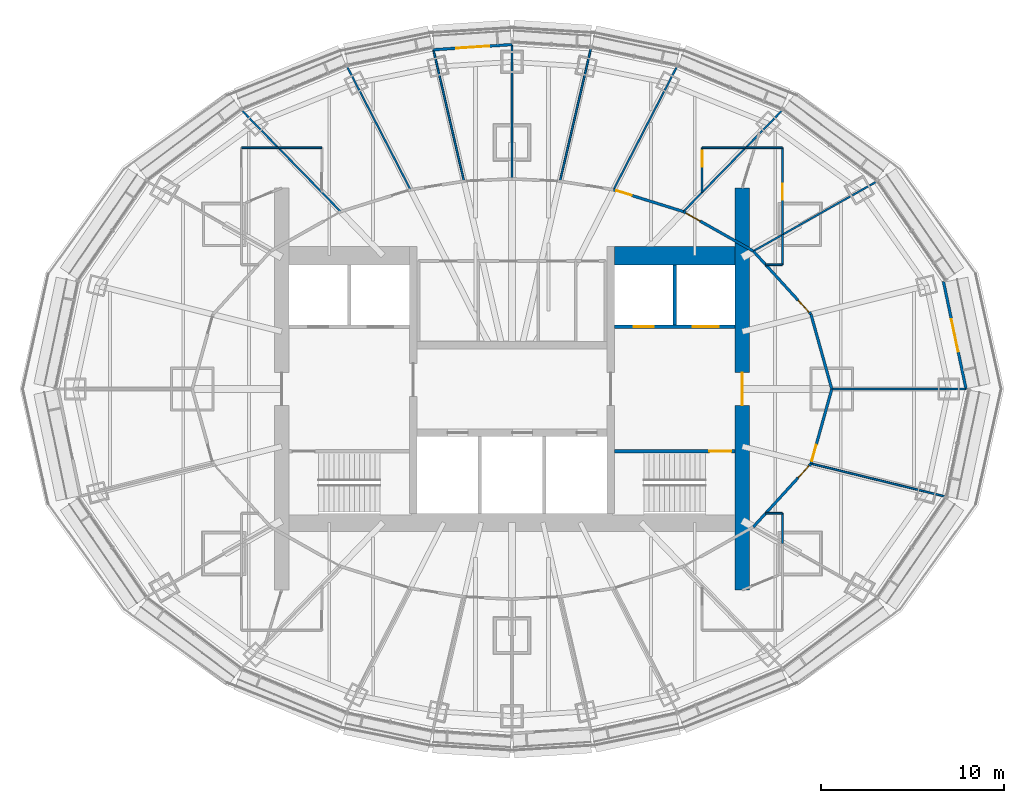
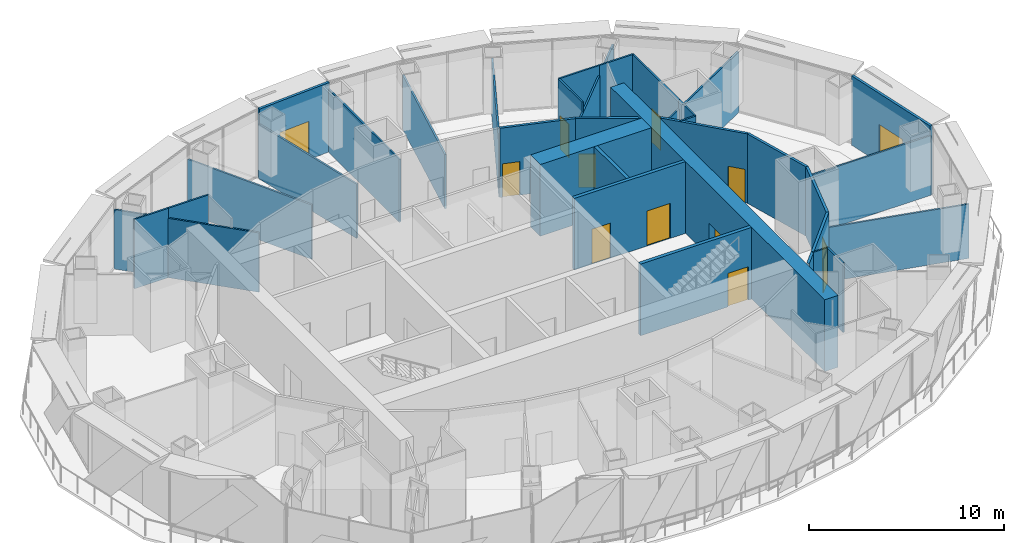
# One storey, part 12 of 17: 33 walls, 13 doors, 13 openings.
"""IFC4 building model written with IfcOpenShell, lengths in metres."""

from ifc_helpers import new_model, si_unit, direction, frame, frame_2d, origin, place, context, subcontext, project, spatial, rectangle, extrude, material, layer, layer_set, type_object, element, fill, save


model = new_model("IFC4")

# Units and contexts
model_context = context("Model", 3, precision=1e-05, world=origin(), true_north=direction((0.0, 1.0)))
body_context = subcontext(model_context, "Body", "Model", "MODEL_VIEW")
ifc_project = project(units=[si_unit("LENGTHUNIT", "METRE"), si_unit("AREAUNIT", "SQUARE_METRE"), si_unit("VOLUMEUNIT", "CUBIC_METRE"), si_unit("PLANEANGLEUNIT", "RADIAN"), si_unit("MASSUNIT", "GRAM", prefix="KILO")], contexts=[model_context])

# Site, building, storey
site_placement = place(None, origin())
site = spatial("IfcSite", under=ifc_project, at=site_placement, CompositionType="ELEMENT")
building_placement = place(site_placement, origin())
building = spatial("IfcBuilding", under=site, at=building_placement, Name="Lantaw Convention Tower", CompositionType="ELEMENT")
storey_placement = place(building_placement, frame((0.0, 0.0, 270.39990234375)))
storey = spatial("IfcBuildingStorey", under=building, at=storey_placement, Name="L63", CompositionType="ELEMENT", Elevation=270.39990234375)

# Wall
ifc_material_1 = material(Name="Concrete C60/75", Category="concrete")
ifc_layer_1 = layer(ifc_material_1, 1.0)
ifc_layer_set_1 = layer_set([ifc_layer_1], Name="Core wall 1000")
wall_type_1 = type_object("IfcWallType", Name="Core wall 1000", PredefinedType="SHEAR", material=ifc_layer_set_1)
wall_1_placement = place(storey_placement, frame((12.199951171875, 7.300048828125, 0.0), z_axis=(0.0, 0.0, 1.0), x_axis=(-1.0, 0.0, 0.0)))
element("IfcWall", 1, at=wall_1_placement, inside=storey, type_object=wall_type_1, Name="Core wall NE", PredefinedType="SHEAR", context=body_context, shape_type="SweptSolid", body=[
    extrude(rectangle(XDim=6.599853515625, YDim=1.0, at=frame_2d((3.2998046875, 0.0))), origin(), (0.0, 0.0, 1.0), 4.5),
])

# Wall, opening, door
ifc_layer_2 = layer(ifc_material_1, 0.199951171875)
ifc_layer_set_2 = layer_set([ifc_layer_2], Name="Core wall 200")
wall_type_2 = type_object("IfcWallType", Name="Core wall 200", PredefinedType="SHEAR", material=ifc_layer_set_2)
wall_2_placement = place(storey_placement, frame((5.60009765625, -3.39990234375, 0.0), z_axis=(0.0, 0.0, 1.0), x_axis=(1.0, 0.0, 0.0)))
wall_2 = element("IfcWall", 2, at=wall_2_placement, inside=storey, type_object=wall_type_2, Name="Core wall ES", PredefinedType="SHEAR", context=body_context, shape_type="SweptSolid", body=[
    extrude(rectangle(XDim=6.599853515625, YDim=0.199951171875, at=frame_2d((3.2998046875, 0.0))), origin(), (0.0, 0.0, 1.0), 4.5),
])
opening_1_placement = place(wall_2_placement, frame((5.199951171875, 0.0, 0.0)))
opening_1 = element("IfcOpeningElement", 3, at=opening_1_placement, cuts=wall_2, Name="Opening L63.03", PredefinedType="OPENING", context=body_context, shape_type="SweptSolid", body=[
    extrude(rectangle(XDim=1.199951171875, YDim=2.10009765625, at=frame_2d((0.60009765625, 1.050048828125))), frame((0.0, 0.10986328125, 0.0), z_axis=(0.0, -1.0, 0.0), x_axis=(1.0, 0.0, 0.0)), (0.0, 0.0, 1.0), 0.219970703125),
])
ifc_material_2 = material(Name="Steel, fire rated", Category="steel")
door_type_1 = type_object("IfcDoorType", Name="Stair door FD90", OperationType="SINGLE_SWING_RIGHT", PredefinedType="DOOR", material=ifc_material_2)
door_1_placement = place(opening_1_placement, origin())
door_1 = element("IfcDoor", 4, at=door_1_placement, inside=storey, type_object=door_type_1, Name="Exit stair door", OperationType="SINGLE_SWING_RIGHT", OverallHeight=2.10009765625, OverallWidth=1.199951171875, PredefinedType="DOOR", context=body_context, shape_type="SweptSolid", body=[
    extrude(rectangle(XDim=1.199951171875, YDim=2.10009765625, at=frame_2d((0.60009765625, 1.050048828125))), frame((0.0, 0.02490234375, 0.0), z_axis=(0.0, -1.0, 0.0), x_axis=(1.0, 0.0, 0.0)), (0.0, 0.0, 1.0), 0.050048828125),
])
fill(opening_1, door_1)

ifc_layer_3 = layer(ifc_material_1, 0.800048828125)
ifc_layer_set_3 = layer_set([ifc_layer_3], Name="Core wall 800")
wall_type_3 = type_object("IfcWallType", Name="Core wall 800", PredefinedType="SHEAR", material=ifc_layer_set_3)
wall_3_placement = place(storey_placement, frame((12.60009765625, -11.0, 0.0), z_axis=(0.0, 0.0, 1.0), x_axis=(0.0, 1.0, 0.0)))
wall_3 = element("IfcWall", 5, at=wall_3_placement, inside=storey, type_object=wall_type_3, Name="Core wall E", PredefinedType="SHEAR", context=body_context, shape_type="SweptSolid", body=[
    extrude(rectangle(XDim=22.0, YDim=0.800048828125, at=frame_2d((11.0, 0.0))), origin(), (0.0, 0.0, 1.0), 4.5),
])
opening_2_placement = place(wall_3_placement, frame((10.10009765625, 0.0, 0.0)))
opening_2 = element("IfcOpeningElement", 6, at=opening_2_placement, cuts=wall_3, Name="Opening L63.05", PredefinedType="OPENING", context=body_context, shape_type="SweptSolid", body=[
    extrude(rectangle(XDim=1.800048828125, YDim=2.10009765625, at=frame_2d((0.89990234375, 1.050048828125))), frame((0.0, 0.409912109375, 0.0), z_axis=(0.0, -1.0, 0.0), x_axis=(1.0, 0.0, 0.0)), (0.0, 0.0, 1.0), 0.820068359375),
])
door_type_2 = type_object("IfcDoorType", Name="Lobby double door FD90", OperationType="DOUBLE_DOOR_DOUBLE_SWING", PredefinedType="DOOR", material=ifc_material_2)
door_2_placement = place(opening_2_placement, origin())
door_2 = element("IfcDoor", 7, at=door_2_placement, inside=storey, type_object=door_type_2, Name="Firefighting lobby door", OperationType="DOUBLE_DOOR_DOUBLE_SWING", OverallHeight=2.10009765625, OverallWidth=1.800048828125, PredefinedType="DOOR", context=body_context, shape_type="SweptSolid", body=[
    extrude(rectangle(XDim=1.800048828125, YDim=2.10009765625, at=frame_2d((0.89990234375, 1.050048828125))), frame((0.0, 0.02490234375, 0.0), z_axis=(0.0, -1.0, 0.0), x_axis=(1.0, 0.0, 0.0)), (0.0, 0.0, 1.0), 0.050048828125),
])
fill(opening_2, door_2)

# Wall
ifc_material_3 = material(Name="Gypsum board on steel studs, fire rated", Category="steel")
ifc_layer_4 = layer(ifc_material_3, 0.14990234375)
ifc_layer_set_4 = layer_set([ifc_layer_4], Name="Corridor wall 150 EI 60")
wall_type_4 = type_object("IfcWallType", Name="Corridor wall 150 EI 60", PredefinedType="PARTITIONING", material=ifc_layer_set_4)
wall_4_placement = place(storey_placement, frame((17.5, 0.0, 0.0), z_axis=(0.0, 0.0, 1.0), x_axis=(-0.268731808547, 0.963215040931, 0.0)))
element("IfcWall", 8, at=wall_4_placement, inside=storey, type_object=wall_type_4, Name="Corridor wall 150", PredefinedType="PARTITIONING", context=body_context, shape_type="SweptSolid", body=[
    extrude(rectangle(XDim=4.2353515625, YDim=0.14990234375, at=frame_2d((2.11767578125, 0.0))), origin(), (0.0, 0.0, 1.0), 4.35009765625),
])

# Wall, opening, door
wall_5_placement = place(storey_placement, frame((16.36181640625, 4.07958984375, 0.0), z_axis=(0.0, 0.0, 1.0), x_axis=(-0.67323765707, 0.739426167445, 0.0)))
wall_5 = element("IfcWall", 9, at=wall_5_placement, inside=storey, type_object=wall_type_4, Name="Corridor wall 150", PredefinedType="PARTITIONING", context=body_context, shape_type="SweptSolid", body=[
    extrude(rectangle(XDim=4.688232421875, YDim=0.14990234375, at=frame_2d((2.34423828125, 0.0))), origin(), (0.0, 0.0, 1.0), 4.35009765625),
])
opening_3_placement = place(wall_5_placement, frame((0.14990234375, 0.0, 0.0)))
opening_3 = element("IfcOpeningElement", 10, at=opening_3_placement, cuts=wall_5, Name="Opening L63.18", PredefinedType="OPENING", context=body_context, shape_type="SweptSolid", body=[
    extrude(rectangle(XDim=0.89990234375, YDim=2.10009765625, at=frame_2d((0.449951171875, 1.050048828125))), frame((0.0, 0.0849609375, 0.0), z_axis=(0.0, -1.0, 0.0), x_axis=(1.0, 0.0, 0.0)), (0.0, 0.0, 1.0), 0.169921875),
])
door_type_3 = type_object("IfcDoorType", Name="Office door 900 FD30", OperationType="SINGLE_SWING_LEFT", PredefinedType="DOOR", material=ifc_material_2)
door_3_placement = place(opening_3_placement, origin())
door_3 = element("IfcDoor", 11, at=door_3_placement, inside=storey, type_object=door_type_3, Name="Reception door", OperationType="SINGLE_SWING_LEFT", OverallHeight=2.10009765625, OverallWidth=0.89990234375, PredefinedType="DOOR", context=body_context, shape_type="SweptSolid", body=[
    extrude(rectangle(XDim=0.89990234375, YDim=2.10009765625, at=frame_2d((0.449951171875, 1.050048828125))), frame((0.0, 0.02490234375, 0.0), z_axis=(0.0, -1.0, 0.0), x_axis=(1.0, 0.0, 0.0)), (0.0, 0.0, 1.0), 0.050048828125),
])
fill(opening_3, door_3)

wall_6_placement = place(storey_placement, frame((13.20556640625, 7.546142578125, 0.0), z_axis=(0.0, 0.0, 1.0), x_axis=(-0.870593853694, 0.492002379984, 0.0)))
wall_6 = element("IfcWall", 12, at=wall_6_placement, inside=storey, type_object=wall_type_4, Name="Corridor wall 150", PredefinedType="PARTITIONING", context=body_context, shape_type="SweptSolid", body=[
    extrude(rectangle(XDim=4.39794921875, YDim=0.14990234375, at=frame_2d((2.198974609375, 0.0))), origin(), (0.0, 0.0, 1.0), 4.35009765625),
])
opening_4_placement = place(wall_6_placement, frame((3.347900390625, 0.0, 0.0)))
opening_4 = element("IfcOpeningElement", 13, at=opening_4_placement, cuts=wall_6, Name="Opening L63.19", PredefinedType="OPENING", context=body_context, shape_type="SweptSolid", body=[
    extrude(rectangle(XDim=0.89990234375, YDim=2.10009765625, at=frame_2d((0.449951171875, 1.050048828125))), frame((0.0, 0.0849609375, 0.0), z_axis=(0.0, -1.0, 0.0), x_axis=(1.0, 0.0, 0.0)), (0.0, 0.0, 1.0), 0.169921875),
])
door_4_placement = place(opening_4_placement, origin())
door_4 = element("IfcDoor", 14, at=door_4_placement, inside=storey, type_object=door_type_3, Name="Executive office door", OperationType="SINGLE_SWING_LEFT", OverallHeight=2.10009765625, OverallWidth=0.89990234375, PredefinedType="DOOR", context=body_context, shape_type="SweptSolid", body=[
    extrude(rectangle(XDim=0.89990234375, YDim=2.10009765625, at=frame_2d((0.449951171875, 1.050048828125))), frame((0.0, 0.02490234375, 0.0), z_axis=(0.0, -1.0, 0.0), x_axis=(1.0, 0.0, 0.0)), (0.0, 0.0, 1.0), 0.050048828125),
])
fill(opening_4, door_4)

wall_7_placement = place(storey_placement, frame((9.376708984375, 9.7099609375, 0.0), z_axis=(0.0, 0.0, 1.0), x_axis=(-0.954393117131, 0.298552806004, 0.0)))
wall_7 = element("IfcWall", 15, at=wall_7_placement, inside=storey, type_object=wall_type_4, Name="Corridor wall 150", PredefinedType="PARTITIONING", context=body_context, shape_type="SweptSolid", body=[
    extrude(rectangle(XDim=4.0029296875, YDim=0.14990234375, at=frame_2d((2.00146484375, 0.0))), origin(), (0.0, 0.0, 1.0), 4.35009765625),
])
opening_5_placement = place(wall_7_placement, frame((2.952880859375, 0.0, 0.0)))
opening_5 = element("IfcOpeningElement", 16, at=opening_5_placement, cuts=wall_7, Name="Opening L63.20", PredefinedType="OPENING", context=body_context, shape_type="SweptSolid", body=[
    extrude(rectangle(XDim=0.89990234375, YDim=2.10009765625, at=frame_2d((0.449951171875, 1.050048828125))), frame((0.0, 0.0849609375, 0.0), z_axis=(0.0, -1.0, 0.0), x_axis=(1.0, 0.0, 0.0)), (0.0, 0.0, 1.0), 0.169921875),
])
door_5_placement = place(opening_5_placement, origin())
door_5 = element("IfcDoor", 17, at=door_5_placement, inside=storey, type_object=door_type_3, Name="Executive office door", OperationType="SINGLE_SWING_LEFT", OverallHeight=2.10009765625, OverallWidth=0.89990234375, PredefinedType="DOOR", context=body_context, shape_type="SweptSolid", body=[
    extrude(rectangle(XDim=0.89990234375, YDim=2.10009765625, at=frame_2d((0.449951171875, 1.050048828125))), frame((0.0, 0.02490234375, 0.0), z_axis=(0.0, -1.0, 0.0), x_axis=(1.0, 0.0, 0.0)), (0.0, 0.0, 1.0), 0.050048828125),
])
fill(opening_5, door_5)

wall_8_placement = place(storey_placement, frame((13.20556640625, -7.546142578125, 0.0), z_axis=(0.0, 0.0, 1.0), x_axis=(0.67323765707, 0.739426167445, 0.0)))
wall_8 = element("IfcWall", 18, at=wall_8_placement, inside=storey, type_object=wall_type_4, Name="Corridor wall 150", PredefinedType="PARTITIONING", context=body_context, shape_type="SweptSolid", body=[
    extrude(rectangle(XDim=4.688232421875, YDim=0.14990234375, at=frame_2d((2.34423828125, 0.0))), origin(), (0.0, 0.0, 1.0), 4.35009765625),
])
opening_6_placement = place(wall_8_placement, frame((3.63818359375, 0.0, 0.0)))
opening_6 = element("IfcOpeningElement", 19, at=opening_6_placement, cuts=wall_8, Name="Opening L63.38", PredefinedType="OPENING", context=body_context, shape_type="SweptSolid", body=[
    extrude(rectangle(XDim=0.89990234375, YDim=2.10009765625, at=frame_2d((0.449951171875, 1.050048828125))), frame((0.0, 0.0849609375, 0.0), z_axis=(0.0, -1.0, 0.0), x_axis=(1.0, 0.0, 0.0)), (0.0, 0.0, 1.0), 0.169921875),
])
door_6_placement = place(opening_6_placement, origin())
door_6 = element("IfcDoor", 20, at=door_6_placement, inside=storey, type_object=door_type_3, Name="Meeting room door", OperationType="SINGLE_SWING_LEFT", OverallHeight=2.10009765625, OverallWidth=0.89990234375, PredefinedType="DOOR", context=body_context, shape_type="SweptSolid", body=[
    extrude(rectangle(XDim=0.89990234375, YDim=2.10009765625, at=frame_2d((0.449951171875, 1.050048828125))), frame((0.0, 0.02490234375, 0.0), z_axis=(0.0, -1.0, 0.0), x_axis=(1.0, 0.0, 0.0)), (0.0, 0.0, 1.0), 0.050048828125),
])
fill(opening_6, door_6)

wall_9_placement = place(storey_placement, frame((16.36181640625, -4.07958984375, 0.0), z_axis=(0.0, 0.0, 1.0), x_axis=(0.268731808547, 0.963215040931, 0.0)))
wall_9 = element("IfcWall", 21, at=wall_9_placement, inside=storey, type_object=wall_type_4, Name="Corridor wall 150", PredefinedType="PARTITIONING", context=body_context, shape_type="SweptSolid", body=[
    extrude(rectangle(XDim=4.2353515625, YDim=0.14990234375, at=frame_2d((2.11767578125, 0.0))), origin(), (0.0, 0.0, 1.0), 4.35009765625),
])
opening_7_placement = place(wall_9_placement, frame((0.14990234375, 0.0, 0.0)))
opening_7 = element("IfcOpeningElement", 22, at=opening_7_placement, cuts=wall_9, Name="Opening L63.39", PredefinedType="OPENING", context=body_context, shape_type="SweptSolid", body=[
    extrude(rectangle(XDim=0.89990234375, YDim=2.10009765625, at=frame_2d((0.449951171875, 1.050048828125))), frame((0.0, 0.0849609375, 0.0), z_axis=(0.0, -1.0, 0.0), x_axis=(1.0, 0.0, 0.0)), (0.0, 0.0, 1.0), 0.169921875),
])
door_7_placement = place(opening_7_placement, origin())
door_7 = element("IfcDoor", 23, at=door_7_placement, inside=storey, type_object=door_type_3, Name="Quiet room door", OperationType="SINGLE_SWING_LEFT", OverallHeight=2.10009765625, OverallWidth=0.89990234375, PredefinedType="DOOR", context=body_context, shape_type="SweptSolid", body=[
    extrude(rectangle(XDim=0.89990234375, YDim=2.10009765625, at=frame_2d((0.449951171875, 1.050048828125))), frame((0.0, 0.02490234375, 0.0), z_axis=(0.0, -1.0, 0.0), x_axis=(1.0, 0.0, 0.0)), (0.0, 0.0, 1.0), 0.050048828125),
])
fill(opening_7, door_7)

ifc_material_4 = material(Name="Aluminium framed glazing", Category="aluminium")
ifc_layer_5 = layer(ifc_material_4, 0.14990234375)
ifc_layer_set_5 = layer_set([ifc_layer_5], Name="Glazed entrance screen 150")
wall_type_5 = type_object("IfcWallType", Name="Glazed entrance screen 150", PredefinedType="ELEMENTEDWALL", material=ifc_layer_set_5)
wall_10_placement = place(storey_placement, frame((24.853271484375, -0.03076171875, 0.0), z_axis=(0.0, 0.0, 1.0), x_axis=(-0.20581124117, 0.978591709043, 0.0)))
wall_10 = element("IfcWall", 24, at=wall_10_placement, inside=storey, type_object=wall_type_5, Name="Glazed entrance screen", PredefinedType="ELEMENTEDWALL", context=body_context, shape_type="SweptSolid", body=[
    extrude(rectangle(XDim=6.05224609375, YDim=0.14990234375, at=frame_2d((3.026123046875, 0.0))), origin(), (0.0, 0.0, 1.0), 4.35009765625),
])
opening_8_placement = place(wall_10_placement, frame((2.126220703125, 0.0, 0.0)))
opening_8 = element("IfcOpeningElement", 25, at=opening_8_placement, cuts=wall_10, Name="Opening L63.E00", PredefinedType="OPENING", context=body_context, shape_type="SweptSolid", body=[
    extrude(rectangle(XDim=1.800048828125, YDim=2.39990234375, at=frame_2d((0.89990234375, 1.199951171875))), frame((0.0, 0.0849609375, 0.0), z_axis=(0.0, -1.0, 0.0), x_axis=(1.0, 0.0, 0.0)), (0.0, 0.0, 1.0), 0.169921875),
])
ifc_material_5 = material(Name="Aluminium and glass", Category="aluminium")
door_type_4 = type_object("IfcDoorType", Name="Terrace door 1800", OperationType="DOUBLE_DOOR_DOUBLE_SWING", PredefinedType="DOOR", material=ifc_material_5)
door_8_placement = place(opening_8_placement, origin())
door_8 = element("IfcDoor", 26, at=door_8_placement, inside=storey, type_object=door_type_4, Name="Terrace door", OperationType="DOUBLE_DOOR_DOUBLE_SWING", OverallHeight=2.39990234375, OverallWidth=1.800048828125, PredefinedType="DOOR", context=body_context, shape_type="SweptSolid", body=[
    extrude(rectangle(XDim=1.800048828125, YDim=2.39990234375, at=frame_2d((0.89990234375, 1.199951171875))), frame((0.0, 0.02490234375, 0.0), z_axis=(0.0, -1.0, 0.0), x_axis=(1.0, 0.0, 0.0)), (0.0, 0.0, 1.0), 0.050048828125),
])
fill(opening_8, door_8)

wall_11_placement = place(storey_placement, frame((0.010009765625, 18.850341796875, 0.0), z_axis=(0.0, 0.0, 1.0), x_axis=(-0.997817967506, -0.066025023447, 0.0)))
wall_11 = element("IfcWall", 27, at=wall_11_placement, inside=storey, type_object=wall_type_5, Name="Glazed entrance screen", PredefinedType="ELEMENTEDWALL", context=body_context, shape_type="SweptSolid", body=[
    extrude(rectangle(XDim=4.330078125, YDim=0.14990234375, at=frame_2d((2.1650390625, 0.0))), origin(), (0.0, 0.0, 1.0), 4.35009765625),
])
opening_9_placement = place(wall_11_placement, frame((1.264892578125, 0.0, 0.0)))
opening_9 = element("IfcOpeningElement", 28, at=opening_9_placement, cuts=wall_11, Name="Opening L63.E06", PredefinedType="OPENING", context=body_context, shape_type="SweptSolid", body=[
    extrude(rectangle(XDim=1.800048828125, YDim=2.39990234375, at=frame_2d((0.89990234375, 1.199951171875))), frame((0.0, 0.0849609375, 0.0), z_axis=(0.0, -1.0, 0.0), x_axis=(1.0, 0.0, 0.0)), (0.0, 0.0, 1.0), 0.169921875),
])
door_9_placement = place(opening_9_placement, origin())
door_9 = element("IfcDoor", 29, at=door_9_placement, inside=storey, type_object=door_type_4, Name="Terrace door", OperationType="DOUBLE_DOOR_DOUBLE_SWING", OverallHeight=2.39990234375, OverallWidth=1.800048828125, PredefinedType="DOOR", context=body_context, shape_type="SweptSolid", body=[
    extrude(rectangle(XDim=1.800048828125, YDim=2.39990234375, at=frame_2d((0.89990234375, 1.199951171875))), frame((0.0, 0.02490234375, 0.0), z_axis=(0.0, -1.0, 0.0), x_axis=(1.0, 0.0, 0.0)), (0.0, 0.0, 1.0), 0.050048828125),
])
fill(opening_9, door_9)

# Walls
ifc_material_6 = material(Name="Gypsum board on steel studs, acoustic", Category="steel")
ifc_layer_6 = layer(ifc_material_6, 0.10009765625)
ifc_layer_set_6 = layer_set([ifc_layer_6], Name="Office partition 100")
wall_type_6 = type_object("IfcWallType", Name="Office partition 100", PredefinedType="PARTITIONING", material=ifc_layer_set_6)
wall_12_placement = place(storey_placement, frame((24.8212890625, 0.0, 0.0), z_axis=(0.0, 0.0, 1.0), x_axis=(-1.0, 0.0, 0.0)))
element("IfcWall", 30, at=wall_12_placement, inside=storey, type_object=wall_type_6, Name="Office partition 100", PredefinedType="PARTITIONING", context=body_context, shape_type="SweptSolid", body=[
    extrude(rectangle(XDim=7.3212890625, YDim=0.10009765625, at=frame_2d((3.66064453125, 0.0))), origin(), (0.0, 0.0, 1.0), 3.738037109375),
])
wall_13_placement = place(storey_placement, frame((19.958984375, 11.354736328125, 0.0), z_axis=(0.0, 0.0, 1.0), x_axis=(-0.871035125561, -0.491220734537, 0.0)))
element("IfcWall", 31, at=wall_13_placement, inside=storey, type_object=wall_type_6, Name="Office partition 100", PredefinedType="PARTITIONING", context=body_context, shape_type="SweptSolid", body=[
    extrude(rectangle(XDim=7.75341796875, YDim=0.10009765625, at=frame_2d((3.876708984375, 0.0))), origin(), (0.0, 0.0, 1.0), 3.82421875),
])
wall_14_placement = place(storey_placement, frame((14.7890625, 15.2509765625, 0.0), z_axis=(0.0, 0.0, 1.0), x_axis=(-0.698752653188, -0.71536335499, 0.0)))
element("IfcWall", 32, at=wall_14_placement, inside=storey, type_object=wall_type_6, Name="Office partition 100", PredefinedType="PARTITIONING", context=body_context, shape_type="SweptSolid", body=[
    extrude(rectangle(XDim=7.745849609375, YDim=0.10009765625, at=frame_2d((3.873046875, 0.0))), origin(), (0.0, 0.0, 1.0), 3.72265625),
])
wall_15_placement = place(storey_placement, frame((9.03076171875, 17.6572265625, 0.0), z_axis=(0.0, 0.0, 1.0), x_axis=(-0.457536153323, -0.889191019074, 0.0)))
element("IfcWall", 33, at=wall_15_placement, inside=storey, type_object=wall_type_6, Name="Office partition 100", PredefinedType="PARTITIONING", context=body_context, shape_type="SweptSolid", body=[
    extrude(rectangle(XDim=7.59375, YDim=0.10009765625, at=frame_2d((3.796875, 0.0))), origin(), (0.0, 0.0, 1.0), 3.40771484375),
])
wall_16_placement = place(storey_placement, frame((4.32373046875, 18.6572265625, 0.0), z_axis=(0.0, 0.0, 1.0), x_axis=(-0.227020232271, -0.973890042119, 0.0)))
element("IfcWall", 34, at=wall_16_placement, inside=storey, type_object=wall_type_6, Name="Office partition 100", PredefinedType="PARTITIONING", context=body_context, shape_type="SweptSolid", body=[
    extrude(rectangle(XDim=7.482666015625, YDim=0.10009765625, at=frame_2d((3.7412109375, 0.0))), origin(), (0.0, 0.0, 1.0), 3.40771484375),
])
wall_17_placement = place(storey_placement, frame((0.0, 18.82470703125, 0.0), z_axis=(0.0, 0.0, 1.0), x_axis=(0.0, -1.0, 0.0)))
element("IfcWall", 35, at=wall_17_placement, inside=storey, type_object=wall_type_6, Name="Office partition 100", PredefinedType="PARTITIONING", context=body_context, shape_type="SweptSolid", body=[
    extrude(rectangle(XDim=7.32470703125, YDim=0.10009765625, at=frame_2d((3.662353515625, 0.0))), origin(), (0.0, 0.0, 1.0), 3.943603515625),
])
wall_18_placement = place(storey_placement, frame((-4.29638671875, 18.540283203125, 0.0), z_axis=(0.0, 0.0, 1.0), x_axis=(0.227009478686, -0.973892548789, 0.0)))
element("IfcWall", 36, at=wall_18_placement, inside=storey, type_object=wall_type_6, Name="Office partition 100", PredefinedType="PARTITIONING", context=body_context, shape_type="SweptSolid", body=[
    extrude(rectangle(XDim=7.362548828125, YDim=0.10009765625, at=frame_2d((3.68115234375, 0.0))), origin(), (0.0, 0.0, 1.0), 3.40771484375),
])
wall_19_placement = place(storey_placement, frame((-9.03076171875, 17.6572265625, 0.0), z_axis=(0.0, 0.0, 1.0), x_axis=(0.457536153323, -0.889191019074, 0.0)))
element("IfcWall", 37, at=wall_19_placement, inside=storey, type_object=wall_type_6, Name="Office partition 100", PredefinedType="PARTITIONING", context=body_context, shape_type="SweptSolid", body=[
    extrude(rectangle(XDim=7.59375, YDim=0.10009765625, at=frame_2d((3.796875, 0.0))), origin(), (0.0, 0.0, 1.0), 3.40771484375),
])
wall_20_placement = place(storey_placement, frame((-14.7890625, 15.2509765625, 0.0), z_axis=(0.0, 0.0, 1.0), x_axis=(0.698752653188, -0.71536335499, 0.0)))
element("IfcWall", 38, at=wall_20_placement, inside=storey, type_object=wall_type_6, Name="Office partition 100", PredefinedType="PARTITIONING", context=body_context, shape_type="SweptSolid", body=[
    extrude(rectangle(XDim=7.745849609375, YDim=0.10009765625, at=frame_2d((3.873046875, 0.0))), origin(), (0.0, 0.0, 1.0), 3.72265625),
])
wall_21_placement = place(storey_placement, frame((23.70703125, -5.881103515625, 0.0), z_axis=(0.0, 0.0, 1.0), x_axis=(-0.971215212425, 0.238203717759, 0.0)))
element("IfcWall", 39, at=wall_21_placement, inside=storey, type_object=wall_type_6, Name="Office partition 100", PredefinedType="PARTITIONING", context=body_context, shape_type="SweptSolid", body=[
    extrude(rectangle(XDim=7.56298828125, YDim=0.10009765625, at=frame_2d((3.781494140625, 0.0))), origin(), (0.0, 0.0, 1.0), 3.40771484375),
])
wall_22_placement = place(storey_placement, frame((13.884765625, 6.800048828125, 0.0), z_axis=(0.0, 0.0, 1.0), x_axis=(1.0, 0.0, 0.0)))
element("IfcWall", 40, at=wall_22_placement, inside=storey, type_object=wall_type_6, Name="Office partition 100", PredefinedType="PARTITIONING", context=body_context, shape_type="SweptSolid", body=[
    extrude(rectangle(XDim=0.915283203125, YDim=0.10009765625, at=frame_2d((0.45751953125, 0.0))), origin(), (0.0, 0.0, 1.0), 4.35009765625),
])
wall_23_placement = place(storey_placement, frame((14.800048828125, 6.800048828125, 0.0), z_axis=(0.0, 0.0, 1.0), x_axis=(0.0, 1.0, 0.0)))
element("IfcWall", 41, at=wall_23_placement, inside=storey, type_object=wall_type_6, Name="Office partition 100", PredefinedType="PARTITIONING", context=body_context, shape_type="SweptSolid", body=[
    extrude(rectangle(XDim=1.645263671875, YDim=0.10009765625, at=frame_2d((0.82275390625, 0.0))), origin(), (0.0, 0.0, 1.0), 4.35009765625),
])

# Wall, opening, door
wall_24_placement = place(storey_placement, frame((14.800048828125, 8.4453125, 0.0), z_axis=(0.0, 0.0, 1.0), x_axis=(0.0, 1.0, 0.0)))
wall_24 = element("IfcWall", 42, at=wall_24_placement, inside=storey, type_object=wall_type_6, Name="Office partition 100", PredefinedType="PARTITIONING", context=body_context, shape_type="SweptSolid", body=[
    extrude(rectangle(XDim=4.754638671875, YDim=0.10009765625, at=frame_2d((2.37744140625, 0.0))), origin(), (0.0, 0.0, 1.0), 4.35009765625),
])
opening_10_placement = place(wall_24_placement, frame((1.89990234375, 0.0, 0.0)))
opening_10 = element("IfcOpeningElement", 43, at=opening_10_placement, cuts=wall_24, Name="Opening L63.40", PredefinedType="OPENING", context=body_context, shape_type="SweptSolid", body=[
    extrude(rectangle(XDim=0.89990234375, YDim=2.10009765625, at=frame_2d((0.449951171875, 1.050048828125))), frame((0.0, 0.06005859375, 0.0), z_axis=(0.0, -1.0, 0.0), x_axis=(1.0, 0.0, 0.0)), (0.0, 0.0, 1.0), 0.1201171875),
])
ifc_material_7 = material(Name="Timber", Category="wood")
door_type_5 = type_object("IfcDoorType", Name="Office door 900", OperationType="SINGLE_SWING_LEFT", PredefinedType="DOOR", material=ifc_material_7)
door_10_placement = place(opening_10_placement, origin())
door_10 = element("IfcDoor", 44, at=door_10_placement, inside=storey, type_object=door_type_5, Name="Executive office door", OperationType="SINGLE_SWING_LEFT", OverallHeight=2.10009765625, OverallWidth=0.89990234375, PredefinedType="DOOR", context=body_context, shape_type="SweptSolid", body=[
    extrude(rectangle(XDim=0.89990234375, YDim=2.10009765625, at=frame_2d((0.449951171875, 1.050048828125))), frame((0.0, 0.02490234375, 0.0), z_axis=(0.0, -1.0, 0.0), x_axis=(1.0, 0.0, 0.0)), (0.0, 0.0, 1.0), 0.050048828125),
])
fill(opening_10, door_10)

# Walls
wall_25_placement = place(storey_placement, frame((14.800048828125, 13.199951171875, 0.0), z_axis=(0.0, 0.0, 1.0), x_axis=(-1.0, 0.0, 0.0)))
element("IfcWall", 45, at=wall_25_placement, inside=storey, type_object=wall_type_6, Name="Office partition 100", PredefinedType="PARTITIONING", context=body_context, shape_type="SweptSolid", body=[
    extrude(rectangle(XDim=2.014404296875, YDim=0.10009765625, at=frame_2d((1.00732421875, 0.0))), origin(), (0.0, 0.0, 1.0), 4.35009765625),
])
wall_26_placement = place(storey_placement, frame((12.78564453125, 13.199951171875, 0.0), z_axis=(0.0, 0.0, 1.0), x_axis=(-1.0, 0.0, 0.0)))
element("IfcWall", 46, at=wall_26_placement, inside=storey, type_object=wall_type_6, Name="Office partition 100", PredefinedType="PARTITIONING", context=body_context, shape_type="SweptSolid", body=[
    extrude(rectangle(XDim=2.3857421875, YDim=0.10009765625, at=frame_2d((1.19287109375, 0.0))), origin(), (0.0, 0.0, 1.0), 4.35009765625),
])

# Wall, opening, door
wall_27_placement = place(storey_placement, frame((10.39990234375, 13.199951171875, 0.0), z_axis=(0.0, 0.0, 1.0), x_axis=(0.0, -1.0, 0.0)))
wall_27 = element("IfcWall", 47, at=wall_27_placement, inside=storey, type_object=wall_type_6, Name="Office partition 100", PredefinedType="PARTITIONING", context=body_context, shape_type="SweptSolid", body=[
    extrude(rectangle(XDim=2.4423828125, YDim=0.10009765625, at=frame_2d((1.22119140625, 0.0))), origin(), (0.0, 0.0, 1.0), 4.35009765625),
])
opening_11_placement = place(wall_27_placement, frame((0.14990234375, 0.0, 0.0)))
opening_11 = element("IfcOpeningElement", 48, at=opening_11_placement, cuts=wall_27, Name="Opening L63.41", PredefinedType="OPENING", context=body_context, shape_type="SweptSolid", body=[
    extrude(rectangle(XDim=0.89990234375, YDim=2.10009765625, at=frame_2d((0.449951171875, 1.050048828125))), frame((0.0, 0.06005859375, 0.0), z_axis=(0.0, -1.0, 0.0), x_axis=(1.0, 0.0, 0.0)), (0.0, 0.0, 1.0), 0.1201171875),
])
door_11_placement = place(opening_11_placement, origin())
door_11 = element("IfcDoor", 49, at=door_11_placement, inside=storey, type_object=door_type_5, Name="Executive office door", OperationType="SINGLE_SWING_LEFT", OverallHeight=2.10009765625, OverallWidth=0.89990234375, PredefinedType="DOOR", context=body_context, shape_type="SweptSolid", body=[
    extrude(rectangle(XDim=0.89990234375, YDim=2.10009765625, at=frame_2d((0.449951171875, 1.050048828125))), frame((0.0, 0.02490234375, 0.0), z_axis=(0.0, -1.0, 0.0), x_axis=(1.0, 0.0, 0.0)), (0.0, 0.0, 1.0), 0.050048828125),
])
fill(opening_11, door_11)

# Walls
wall_28_placement = place(storey_placement, frame((-10.39990234375, 13.199951171875, 0.0), z_axis=(0.0, 0.0, 1.0), x_axis=(-1.0, 0.0, 0.0)))
element("IfcWall", 50, at=wall_28_placement, inside=storey, type_object=wall_type_6, Name="Office partition 100", PredefinedType="PARTITIONING", context=body_context, shape_type="SweptSolid", body=[
    extrude(rectangle(XDim=2.3857421875, YDim=0.10009765625, at=frame_2d((1.19287109375, 0.0))), origin(), (0.0, 0.0, 1.0), 4.35009765625),
])
wall_29_placement = place(storey_placement, frame((-12.78564453125, 13.199951171875, 0.0), z_axis=(0.0, 0.0, 1.0), x_axis=(-1.0, 0.0, 0.0)))
element("IfcWall", 51, at=wall_29_placement, inside=storey, type_object=wall_type_6, Name="Office partition 100", PredefinedType="PARTITIONING", context=body_context, shape_type="SweptSolid", body=[
    extrude(rectangle(XDim=2.014404296875, YDim=0.10009765625, at=frame_2d((1.00732421875, 0.0))), origin(), (0.0, 0.0, 1.0), 4.35009765625),
])
wall_30_placement = place(storey_placement, frame((14.800048828125, -8.4453125, 0.0), z_axis=(0.0, 0.0, 1.0), x_axis=(0.0, 1.0, 0.0)))
element("IfcWall", 52, at=wall_30_placement, inside=storey, type_object=wall_type_6, Name="Office partition 100", PredefinedType="PARTITIONING", context=body_context, shape_type="SweptSolid", body=[
    extrude(rectangle(XDim=1.645263671875, YDim=0.10009765625, at=frame_2d((0.82275390625, 0.0))), origin(), (0.0, 0.0, 1.0), 4.35009765625),
])
wall_31_placement = place(storey_placement, frame((14.800048828125, -6.800048828125, 0.0), z_axis=(0.0, 0.0, 1.0), x_axis=(-1.0, 0.0, 0.0)))
element("IfcWall", 53, at=wall_31_placement, inside=storey, type_object=wall_type_6, Name="Office partition 100", PredefinedType="PARTITIONING", context=body_context, shape_type="SweptSolid", body=[
    extrude(rectangle(XDim=0.915283203125, YDim=0.10009765625, at=frame_2d((0.45751953125, 0.0))), origin(), (0.0, 0.0, 1.0), 4.35009765625),
])

# Wall, openings, doors
ifc_material_8 = material(Name="Concrete blockwork, fire rated", Category="masonry")
ifc_layer_7 = layer(ifc_material_8, 0.199951171875)
ifc_layer_set_7 = layer_set([ifc_layer_7], Name="Shaft wall 200")
wall_type_7 = type_object("IfcWallType", Name="Shaft wall 200", PredefinedType="SOLIDWALL", material=ifc_layer_set_7)
wall_32_placement = place(storey_placement, frame((12.199951171875, 3.39990234375, 0.0), z_axis=(0.0, 0.0, 1.0), x_axis=(-1.0, 0.0, 0.0)))
wall_32 = element("IfcWall", 54, at=wall_32_placement, inside=storey, type_object=wall_type_7, Name="Shaft wall EN", PredefinedType="SOLIDWALL", context=body_context, shape_type="SweptSolid", body=[
    extrude(rectangle(XDim=6.599853515625, YDim=0.199951171875, at=frame_2d((3.2998046875, 0.0))), origin(), (0.0, 0.0, 1.0), 4.5),
])
opening_12_placement = place(wall_32_placement, frame((4.449951171875, 0.0, 0.0)))
opening_12 = element("IfcOpeningElement", 55, at=opening_12_placement, cuts=wall_32, Name="Opening L63.12", PredefinedType="OPENING", context=body_context, shape_type="SweptSolid", body=[
    extrude(rectangle(XDim=1.10009765625, YDim=2.199951171875, at=frame_2d((0.550048828125, 1.10009765625))), frame((0.0, 0.10986328125, 0.0), z_axis=(0.0, -1.0, 0.0), x_axis=(1.0, 0.0, 0.0)), (0.0, 0.0, 1.0), 0.219970703125),
])
opening_13_placement = place(wall_32_placement, frame((0.89990234375, 0.0, 0.0)))
opening_13 = element("IfcOpeningElement", 56, at=opening_13_placement, cuts=wall_32, Name="Opening L63.13", PredefinedType="OPENING", context=body_context, shape_type="SweptSolid", body=[
    extrude(rectangle(XDim=1.39990234375, YDim=2.199951171875, at=frame_2d((0.699951171875, 1.10009765625))), frame((0.0, 0.10986328125, 0.0), z_axis=(0.0, -1.0, 0.0), x_axis=(1.0, 0.0, 0.0)), (0.0, 0.0, 1.0), 0.219970703125),
])
ifc_material_9 = material(Name="Stainless steel", Category="steel")
door_type_6 = type_object("IfcDoorType", Name="Lift landing door 1100", OperationType="DOUBLE_DOOR_SLIDING", PredefinedType="DOOR", material=ifc_material_9)
door_12_placement = place(opening_12_placement, origin())
door_12 = element("IfcDoor", 57, at=door_12_placement, inside=storey, type_object=door_type_6, Name="Lift landing door FF2", OperationType="DOUBLE_DOOR_SLIDING", OverallHeight=2.199951171875, OverallWidth=1.10009765625, PredefinedType="DOOR", context=body_context, shape_type="SweptSolid", body=[
    extrude(rectangle(XDim=1.10009765625, YDim=2.199951171875, at=frame_2d((0.550048828125, 1.10009765625))), frame((0.0, 0.02490234375, 0.0), z_axis=(0.0, -1.0, 0.0), x_axis=(1.0, 0.0, 0.0)), (0.0, 0.0, 1.0), 0.050048828125),
])
fill(opening_12, door_12)
door_type_7 = type_object("IfcDoorType", Name="Lift landing door 1400", OperationType="DOUBLE_DOOR_SLIDING", PredefinedType="DOOR", material=ifc_material_9)
door_13_placement = place(opening_13_placement, origin())
door_13 = element("IfcDoor", 58, at=door_13_placement, inside=storey, type_object=door_type_7, Name="Lift landing door SV2", OperationType="DOUBLE_DOOR_SLIDING", OverallHeight=2.199951171875, OverallWidth=1.39990234375, PredefinedType="DOOR", context=body_context, shape_type="SweptSolid", body=[
    extrude(rectangle(XDim=1.39990234375, YDim=2.199951171875, at=frame_2d((0.699951171875, 1.10009765625))), frame((0.0, 0.02490234375, 0.0), z_axis=(0.0, -1.0, 0.0), x_axis=(1.0, 0.0, 0.0)), (0.0, 0.0, 1.0), 0.050048828125),
])
fill(opening_13, door_13)

# Wall
wall_33_placement = place(storey_placement, frame((8.89990234375, 3.5, 0.0), z_axis=(0.0, 0.0, 1.0), x_axis=(0.0, 1.0, 0.0)))
element("IfcWall", 59, at=wall_33_placement, inside=storey, type_object=wall_type_7, Name="Shaft wall ED", PredefinedType="SOLIDWALL", context=body_context, shape_type="SweptSolid", body=[
    extrude(rectangle(XDim=3.300048828125, YDim=0.199951171875, at=frame_2d((1.64990234375, 0.0))), origin(), (0.0, 0.0, 1.0), 4.5),
])

save(model, "model.ifc")
